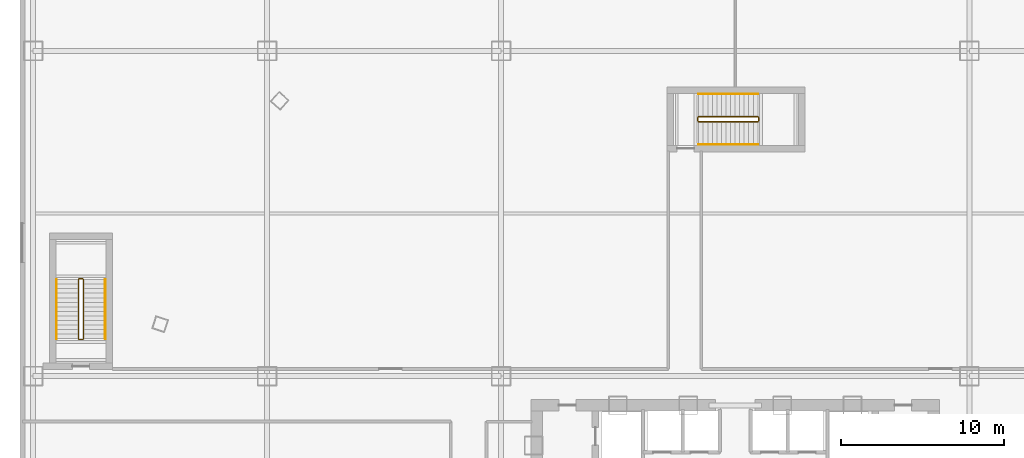
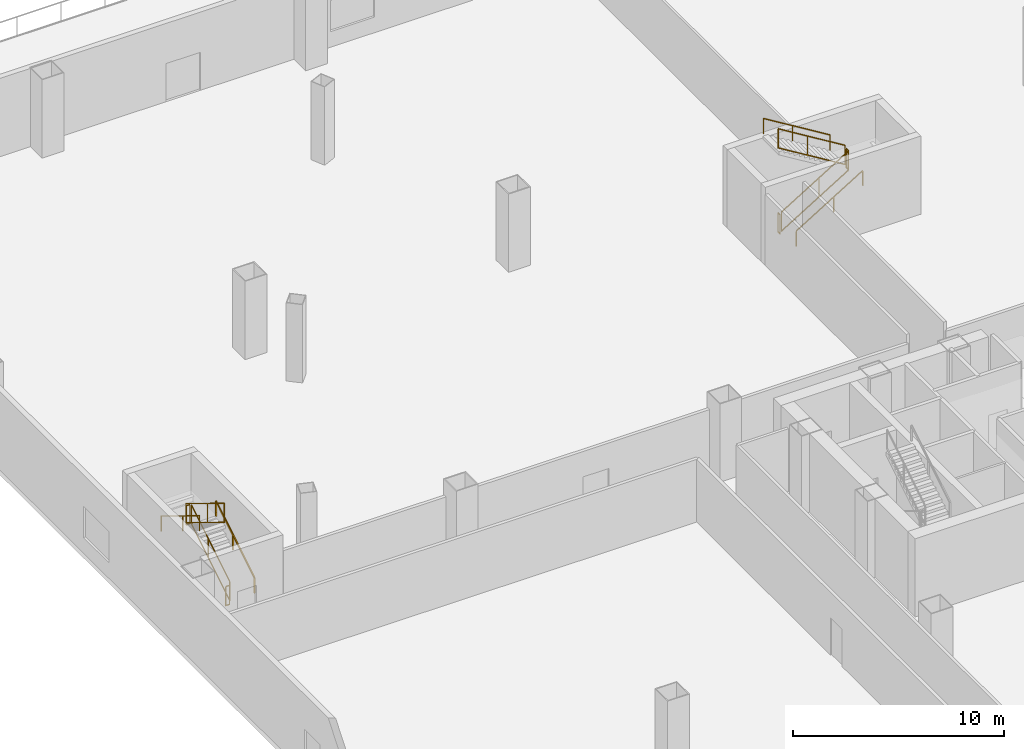
# One storey, part 25 of 27: 12 railings.
"""IFC4 building model written with IfcOpenShell, lengths in metres."""

import ifcopenshell
import ifcopenshell.guid

model = None  # the IFC model being written
_history = None  # IfcOwnerHistory: only IFC2X3 demands one
_inside = {}  # id of a spatial element -> (the spatial element, [elements in it])
_under = {}  # id of a project, library or spatial element -> (it, [spatial elements below it])
_declared = {}  # id of a project -> (the project, [libraries it declares])
_typed = {}  # id of a type object -> (the type object, [elements of that type])
_made_of = {}  # id of a material, layer set ... -> (it, [elements and type objects made of it])


def new_model(schema):
    """Start an empty IFC model of exactly this schema.

    Asked for "IFC4X3", IfcOpenShell would pick the latest addendum, in which some entities
    have other attributes; the version numbers below select the first issue.
    IFC2X3 requires an IfcOwnerHistory on every rooted entity: one is made here for all.
    """
    global model, _history
    if schema == "IFC4X3":
        model = ifcopenshell.file(schema_version=(4, 3, 0, 0))
    else:
        model = ifcopenshell.file(schema=schema)
    _inside.clear()
    _under.clear()
    _declared.clear()
    _typed.clear()
    _made_of.clear()
    _history = None
    if model.schema == "IFC2X3":
        org = make("IfcOrganization", Name="unknown")
        user = make(
            "IfcPersonAndOrganization",
            ThePerson=make("IfcPerson", FamilyName="unknown"),
            TheOrganization=org,
        )
        app = make(
            "IfcApplication",
            ApplicationDeveloper=org,
            Version="unknown",
            ApplicationFullName="unknown",
            ApplicationIdentifier="unknown",
        )
        _history = make(
            "IfcOwnerHistory",
            OwningUser=user,
            OwningApplication=app,
            ChangeAction="ADDED",
            CreationDate=0,
        )
    return model


def make(cls, **values):
    """One entity of the class cls with the attributes given. An attribute that is None is left unset."""
    return model.create_entity(
        cls, **{name: value for name, value in values.items() if value is not None}
    )


def rooted(cls, **values):
    """An entity with a GlobalId (a new one), such as an element, a storey or a relation."""
    return make(cls, GlobalId=ifcopenshell.guid.new(), OwnerHistory=_history, **values)


def si_unit(unit_type, name, prefix=None):
    """IfcSIUnit, for example si_unit("LENGTHUNIT", "METRE", prefix="MILLI")."""
    return make("IfcSIUnit", UnitType=unit_type, Prefix=prefix, Name=name)


def assignment(units):
    """IfcUnitAssignment: the units of a project."""
    return None if units is None else make("IfcUnitAssignment", Units=units)


def point(xyz):
    """IfcCartesianPoint."""
    return None if xyz is None else make("IfcCartesianPoint", Coordinates=xyz)


def direction(xyz):
    """IfcDirection."""
    return None if xyz is None else make("IfcDirection", DirectionRatios=xyz)


def frame(location, z_axis=None, x_axis=None):
    """IfcAxis2Placement3D, a coordinate frame: its origin and axes. An axis left out is left unset."""
    return make(
        "IfcAxis2Placement3D",
        Location=point(location),
        Axis=direction(z_axis),
        RefDirection=direction(x_axis),
    )


def frame_2d(location, x_axis=None):
    """IfcAxis2Placement2D, a coordinate frame in the plane: its origin and x axis."""
    return make(
        "IfcAxis2Placement2D", Location=point(location), RefDirection=direction(x_axis)
    )


def origin():
    """The frame at (0, 0, 0) with its axes left unset."""
    return frame((0.0, 0.0, 0.0))


def origin_2d():
    """The frame at (0, 0) in the plane with its x axis left unset."""
    return frame_2d((0.0, 0.0))


def place(relative_to, where):
    """IfcLocalPlacement: puts the frame where relative to a parent placement (None: the world)."""
    return make(
        "IfcLocalPlacement", PlacementRelTo=relative_to, RelativePlacement=where
    )


def context(
    kind, dimensions, precision=None, world=None, true_north=None, identifier=None
):
    """IfcGeometricRepresentationContext, for example the 3D "Model" context."""
    return make(
        "IfcGeometricRepresentationContext",
        ContextIdentifier=identifier,
        ContextType=kind,
        CoordinateSpaceDimension=dimensions,
        Precision=precision,
        WorldCoordinateSystem=world,
        TrueNorth=true_north,
    )


def subcontext(parent, identifier, kind, view, scale=None):
    """IfcGeometricRepresentationSubContext, for example "Body" below "Model"."""
    return make(
        "IfcGeometricRepresentationSubContext",
        ContextIdentifier=identifier,
        ContextType=kind,
        ParentContext=parent,
        TargetScale=scale,
        TargetView=view,
    )


def project(units=None, contexts=None):
    """IfcProject with its units and contexts."""
    return rooted(
        "IfcProject",
        Name="project",
        RepresentationContexts=contexts,
        UnitsInContext=assignment(units),
    )


def spatial(cls, under=None, at=None, **own):
    """A site, building, storey or space (cls), placed at a placement, below another one or the project."""
    s = rooted(cls, ObjectPlacement=at, **own)
    if under is not None:
        _under.setdefault(under.id(), (under, []))[1].append(s)
    return s


def profile(cls, at=None, kind="AREA", **sizes):
    """A parametric profile (cls). Its sizes go by their IFC names, for example OverallWidth=200.0."""
    return make(cls, ProfileType=kind, Position=at, **sizes)


def rectangle(**sizes):
    """IfcRectangleProfileDef."""
    return profile("IfcRectangleProfileDef", **sizes)


def extrude(swept, where, along, depth):
    """IfcExtrudedAreaSolid: the profile swept, set in the frame where, extruded along a direction by depth."""
    return make(
        "IfcExtrudedAreaSolid",
        SweptArea=swept,
        Position=where,
        ExtrudedDirection=direction(along),
        Depth=depth,
    )


def shape(context_of_items, identifier, shape_type, items):
    """IfcShapeRepresentation: the items that make up one representation, for example the "Body"."""
    return make(
        "IfcShapeRepresentation",
        ContextOfItems=context_of_items,
        RepresentationIdentifier=identifier,
        RepresentationType=shape_type,
        Items=items,
    )


def material(Name=None, Category=None):
    """IfcMaterial."""
    return make("IfcMaterial", Name=Name, Category=Category)


def made_of(thing, what):
    """Note that an element or type object is made of a material, layer set ...; save() writes the relation."""
    if what is not None:
        _made_of.setdefault(what.id(), (what, []))[1].append(thing)
    return thing


def type_object(cls, material=None, **own):
    """A type object (cls), such as IfcWallType, which elements share."""
    return made_of(rooted(cls, **own), material)


def element(
    cls,
    number,
    at=None,
    inside=None,
    cuts=None,
    type_object=None,
    material=None,
    context=None,
    identifier="Body",
    shape_type=None,
    held_by="IfcProductDefinitionShape",
    body=None,
    shapes=None,
    **own,
):
    """One element of the class cls, such as IfcWall. Its Tag is "e" and its number.

    at: its placement. inside: the storey or other place that contains it. cuts: it is an
    opening in that element (IfcRelVoidsElement). A single representation is given by context,
    identifier, shape_type and body (its items); several are given by shapes. held_by: the class
    of the entity that holds the representations. save() writes the other relations.
    """
    e = rooted(cls, Tag="e%d" % number, ObjectPlacement=at, **own)
    if body is not None:
        shapes = [shape(context, identifier, shape_type, body)]
    if shapes is not None:
        e.Representation = make(held_by, Representations=shapes)
    if inside is not None:
        _inside.setdefault(inside.id(), (inside, []))[1].append(e)
    if cuts is not None:
        rooted(
            "IfcRelVoidsElement", RelatingBuildingElement=cuts, RelatedOpeningElement=e
        )
    if type_object is not None:
        _typed.setdefault(type_object.id(), (type_object, []))[1].append(e)
    return made_of(e, material)


def aggregate(whole, parts):
    """IfcRelAggregates: a whole, such as a stair, and the parts it consists of."""
    return rooted("IfcRelAggregates", RelatingObject=whole, RelatedObjects=parts)


def save(model, path):
    """Write the relations noted so far, then the file.

    IfcRelAggregates (storeys below a building ...), IfcRelContainedInSpatialStructure (elements
    in a storey), IfcRelDefinesByType, IfcRelAssociatesMaterial and IfcRelDeclares: one each for
    every whole, place, type object, material and project.
    """
    for whole, parts in _under.values():
        aggregate(whole, parts)
    for where, things in _inside.values():
        rooted(
            "IfcRelContainedInSpatialStructure",
            RelatedElements=things,
            RelatingStructure=where,
        )
    for kind, things in _typed.values():
        rooted("IfcRelDefinesByType", RelatedObjects=things, RelatingType=kind)
    for what, things in _made_of.values():
        rooted("IfcRelAssociatesMaterial", RelatedObjects=things, RelatingMaterial=what)
    for by, libraries in _declared.values():
        rooted("IfcRelDeclares", RelatingContext=by, RelatedDefinitions=libraries)
    model.write(path)


model = new_model("IFC4")

# Units and contexts
model_context = context("Model", 3, precision=1e-05, world=origin(), true_north=direction((0.0, 1.0)))
body_context = subcontext(model_context, "Body", "Model", "MODEL_VIEW")
ifc_project = project(units=[si_unit("LENGTHUNIT", "METRE"), si_unit("AREAUNIT", "SQUARE_METRE"), si_unit("VOLUMEUNIT", "CUBIC_METRE"), si_unit("PLANEANGLEUNIT", "RADIAN"), si_unit("MASSUNIT", "GRAM", prefix="KILO"), si_unit("THERMODYNAMICTEMPERATUREUNIT", "KELVIN"), si_unit("POWERUNIT", "WATT")], contexts=[model_context])

# Site, building, storey
site_placement = place(None, origin())
site = spatial("IfcSite", under=ifc_project, at=site_placement, CompositionType="ELEMENT")
building_placement = place(site_placement, origin())
building = spatial("IfcBuilding", under=site, at=building_placement, Name="Yunzhuo Pagoda Commons", CompositionType="ELEMENT")
storey_placement = place(building_placement, frame((0.0, 0.0, 9.60009765625)))
storey = spatial("IfcBuildingStorey", under=building, at=storey_placement, Name="L03", CompositionType="ELEMENT", Elevation=9.60009765625)

# Railings
ifc_material = material(Name="Anodized aluminium 6063-T6", Category="aluminium")
railing_type_1 = type_object("IfcRailingType", Name="GR-PS3 Podium Well Guardrail 1150", PredefinedType="GUARDRAIL", material=ifc_material)
railing_1_placement = place(storey_placement, frame((7.89990234375, 44.300048828125, 0.17138671875)))
element("IfcRailing", 1, at=railing_1_placement, inside=storey, type_object=railing_type_1, Name="L03 PS3 stair guard 1", PredefinedType="GUARDRAIL", context=body_context, shape_type="SweptSolid", body=[
    extrude(rectangle(XDim=0.048095703125, YDim=0.048095703125, at=origin_2d()), frame((0.0, 0.0, 1.1259765625), z_axis=(0.0, 0.852850264322, 0.5221555579), x_axis=(-1.0, 0.0, 0.0)), (0.0, 0.0, 1.0), 4.267822265625),
    extrude(rectangle(XDim=0.048095703125, YDim=0.048095703125, at=origin_2d()), frame((0.0, 0.0, 0.02392578125), z_axis=(0.0, 0.852850264322, 0.5221555579), x_axis=(-1.0, 0.0, 0.0)), (0.0, 0.0, 1.0), 4.267822265625),
    extrude(rectangle(XDim=0.0419921875, YDim=0.0419921875, at=origin_2d()), origin(), (0.0, 0.0, 1.0), 1.101806640625),
    extrude(rectangle(XDim=0.0419921875, YDim=0.0419921875, at=origin_2d()), frame((0.0, 2.046875, 1.253173828125)), (0.0, 0.0, 1.0), 1.101806640625),
    extrude(rectangle(XDim=0.0419921875, YDim=0.0419921875, at=origin_2d()), frame((0.0, 3.639892578125, 2.228515625)), (0.0, 0.0, 1.0), 1.101806640625),
])
railing_2_placement = place(storey_placement, frame((7.85009765625, 47.989990234375, 2.39990234375)))
element("IfcRailing", 2, at=railing_2_placement, inside=storey, type_object=railing_type_1, Name="L03 PS3 stair guard 2", PredefinedType="GUARDRAIL", context=body_context, shape_type="SweptSolid", body=[
    extrude(rectangle(XDim=0.048095703125, YDim=0.048095703125, at=origin_2d()), frame((0.0, 0.0, 1.1259765625), z_axis=(-1.0, 0.0, 0.0), x_axis=(0.0, -1.0, 0.0)), (0.0, 0.0, 1.0), 0.2001953125),
    extrude(rectangle(XDim=0.048095703125, YDim=0.048095703125, at=origin_2d()), frame((0.0, 0.0, 0.02392578125), z_axis=(-1.0, 0.0, 0.0), x_axis=(0.0, -1.0, 0.0)), (0.0, 0.0, 1.0), 0.2001953125),
    extrude(rectangle(XDim=0.0419921875, YDim=0.0419921875, at=origin_2d()), origin(), (0.0, 0.0, 1.0), 1.101806640625),
    extrude(rectangle(XDim=0.0419921875, YDim=0.0419921875, at=origin_2d()), frame((-0.2001953125, 0.0, 0.0)), (0.0, 0.0, 1.0), 1.101806640625),
])
railing_3_placement = place(storey_placement, frame((7.60009765625, 47.93994140625, 2.5712890625)))
element("IfcRailing", 3, at=railing_3_placement, inside=storey, type_object=railing_type_1, Name="L03 PS3 stair guard 3", PredefinedType="GUARDRAIL", context=body_context, shape_type="SweptSolid", body=[
    extrude(rectangle(XDim=0.048095703125, YDim=0.048095703125, at=origin_2d()), frame((0.0, 0.0, 1.1259765625), z_axis=(0.0, -0.852850264322, 0.5221555579), x_axis=(1.0, 0.0, 0.0)), (0.0, 0.0, 1.0), 4.267822265625),
    extrude(rectangle(XDim=0.048095703125, YDim=0.048095703125, at=origin_2d()), frame((0.0, 0.0, 0.02392578125), z_axis=(0.0, -0.852850264322, 0.5221555579), x_axis=(1.0, 0.0, 0.0)), (0.0, 0.0, 1.0), 4.267822265625),
    extrude(rectangle(XDim=0.0419921875, YDim=0.0419921875, at=origin_2d()), origin(), (0.0, 0.0, 1.0), 1.101806640625),
    extrude(rectangle(XDim=0.0419921875, YDim=0.0419921875, at=origin_2d()), frame((0.0, -2.046875, 1.253173828125)), (0.0, 0.0, 1.0), 1.101806640625),
    extrude(rectangle(XDim=0.0419921875, YDim=0.0419921875, at=origin_2d()), frame((0.0, -3.639892578125, 2.228515625)), (0.0, 0.0, 1.0), 1.101806640625),
])
railing_4_placement = place(storey_placement, frame((7.85009765625, 44.25, 0.0)))
element("IfcRailing", 4, at=railing_4_placement, inside=storey, type_object=railing_type_1, Name="L03 PS3 stair guard 4", PredefinedType="GUARDRAIL", context=body_context, shape_type="SweptSolid", body=[
    extrude(rectangle(XDim=0.048095703125, YDim=0.048095703125, at=origin_2d()), frame((0.0, 0.0, 1.1259765625), z_axis=(-1.0, 0.0, 0.0), x_axis=(0.0, -1.0, 0.0)), (0.0, 0.0, 1.0), 0.2001953125),
    extrude(rectangle(XDim=0.048095703125, YDim=0.048095703125, at=origin_2d()), frame((0.0, 0.0, 0.02392578125), z_axis=(-1.0, 0.0, 0.0), x_axis=(0.0, -1.0, 0.0)), (0.0, 0.0, 1.0), 0.2001953125),
    extrude(rectangle(XDim=0.0419921875, YDim=0.0419921875, at=origin_2d()), origin(), (0.0, 0.0, 1.0), 1.101806640625),
    extrude(rectangle(XDim=0.0419921875, YDim=0.0419921875, at=origin_2d()), frame((-0.2001953125, 0.0, 0.0)), (0.0, 0.0, 1.0), 1.101806640625),
])
railing_type_2 = type_object("IfcRailingType", Name="GR-ST3 North Well Guardrail 1155", PredefinedType="GUARDRAIL", material=ifc_material)
railing_5_placement = place(storey_placement, frame((45.75, 57.64990234375, 0.17138671875)))
element("IfcRailing", 5, at=railing_5_placement, inside=storey, type_object=railing_type_2, Name="L03 ST3 stair guard 1", PredefinedType="GUARDRAIL", context=body_context, shape_type="SweptSolid", body=[
    extrude(rectangle(XDim=0.048095703125, YDim=0.048095703125, at=origin_2d()), frame((0.0, 0.0, 1.1259765625), z_axis=(0.852850264322, 0.0, 0.5221555579), x_axis=(0.0, 1.0, 0.0)), (0.0, 0.0, 1.0), 4.267822265625),
    extrude(rectangle(XDim=0.048095703125, YDim=0.048095703125, at=origin_2d()), frame((0.0, 0.0, 0.02392578125), z_axis=(0.852850264322, 0.0, 0.5221555579), x_axis=(0.0, 1.0, 0.0)), (0.0, 0.0, 1.0), 4.267822265625),
    extrude(rectangle(XDim=0.0419921875, YDim=0.0419921875, at=origin_2d()), origin(), (0.0, 0.0, 1.0), 1.101806640625),
    extrude(rectangle(XDim=0.0419921875, YDim=0.0419921875, at=origin_2d()), frame((2.046875, 0.0, 1.253173828125)), (0.0, 0.0, 1.0), 1.101806640625),
    extrude(rectangle(XDim=0.0419921875, YDim=0.0419921875, at=origin_2d()), frame((3.639892578125, 0.0, 2.228515625)), (0.0, 0.0, 1.0), 1.101806640625),
])
railing_6_placement = place(storey_placement, frame((49.43994140625, 57.699951171875, 2.39990234375)))
element("IfcRailing", 6, at=railing_6_placement, inside=storey, type_object=railing_type_2, Name="L03 ST3 stair guard 2", PredefinedType="GUARDRAIL", context=body_context, shape_type="SweptSolid", body=[
    extrude(rectangle(XDim=0.048095703125, YDim=0.048095703125, at=origin_2d()), frame((0.0, 0.0, 1.1259765625), z_axis=(0.0, 1.0, 0.0), x_axis=(-1.0, 0.0, 0.0)), (0.0, 0.0, 1.0), 0.199951171875),
    extrude(rectangle(XDim=0.048095703125, YDim=0.048095703125, at=origin_2d()), frame((0.0, 0.0, 0.02392578125), z_axis=(0.0, 1.0, 0.0), x_axis=(-1.0, 0.0, 0.0)), (0.0, 0.0, 1.0), 0.199951171875),
    extrude(rectangle(XDim=0.0419921875, YDim=0.0419921875, at=origin_2d()), origin(), (0.0, 0.0, 1.0), 1.101806640625),
    extrude(rectangle(XDim=0.0419921875, YDim=0.0419921875, at=origin_2d()), frame((0.0, 0.199951171875, 0.0)), (0.0, 0.0, 1.0), 1.101806640625),
])
railing_7_placement = place(storey_placement, frame((49.389892578125, 57.949951171875, 2.5712890625)))
element("IfcRailing", 7, at=railing_7_placement, inside=storey, type_object=railing_type_2, Name="L03 ST3 stair guard 3", PredefinedType="GUARDRAIL", context=body_context, shape_type="SweptSolid", body=[
    extrude(rectangle(XDim=0.048095703125, YDim=0.048095703125, at=origin_2d()), frame((0.0, 0.0, 1.1259765625), z_axis=(-0.852850264322, 0.0, 0.5221555579), x_axis=(0.0, -1.0, 0.0)), (0.0, 0.0, 1.0), 4.267822265625),
    extrude(rectangle(XDim=0.048095703125, YDim=0.048095703125, at=origin_2d()), frame((0.0, 0.0, 0.02392578125), z_axis=(-0.852850264322, 0.0, 0.5221555579), x_axis=(0.0, -1.0, 0.0)), (0.0, 0.0, 1.0), 4.267822265625),
    extrude(rectangle(XDim=0.0419921875, YDim=0.0419921875, at=origin_2d()), origin(), (0.0, 0.0, 1.0), 1.101806640625),
    extrude(rectangle(XDim=0.0419921875, YDim=0.0419921875, at=origin_2d()), frame((-2.046875, 0.0, 1.253173828125)), (0.0, 0.0, 1.0), 1.101806640625),
    extrude(rectangle(XDim=0.0419921875, YDim=0.0419921875, at=origin_2d()), frame((-3.639892578125, 0.0, 2.228515625)), (0.0, 0.0, 1.0), 1.101806640625),
])
railing_8_placement = place(storey_placement, frame((45.699951171875, 57.699951171875, 0.0)))
element("IfcRailing", 8, at=railing_8_placement, inside=storey, type_object=railing_type_2, Name="L03 ST3 stair guard 4", PredefinedType="GUARDRAIL", context=body_context, shape_type="SweptSolid", body=[
    extrude(rectangle(XDim=0.048095703125, YDim=0.048095703125, at=origin_2d()), frame((0.0, 0.0, 1.1259765625), z_axis=(0.0, 1.0, 0.0), x_axis=(-1.0, 0.0, 0.0)), (0.0, 0.0, 1.0), 0.199951171875),
    extrude(rectangle(XDim=0.048095703125, YDim=0.048095703125, at=origin_2d()), frame((0.0, 0.0, 0.02392578125), z_axis=(0.0, 1.0, 0.0), x_axis=(-1.0, 0.0, 0.0)), (0.0, 0.0, 1.0), 0.199951171875),
    extrude(rectangle(XDim=0.0419921875, YDim=0.0419921875, at=origin_2d()), origin(), (0.0, 0.0, 1.0), 1.101806640625),
    extrude(rectangle(XDim=0.0419921875, YDim=0.0419921875, at=origin_2d()), frame((0.0, 0.199951171875, 0.0)), (0.0, 0.0, 1.0), 1.101806640625),
])
railing_type_3 = type_object("IfcRailingType", Name="HR-PS3 Podium Stair Handrail 900", PredefinedType="HANDRAIL", material=ifc_material)
railing_9_placement = place(storey_placement, frame((9.25, 44.300048828125, 0.17138671875)))
element("IfcRailing", 9, at=railing_9_placement, inside=storey, type_object=railing_type_3, Name="L03 PS3 stair handrail 1", PredefinedType="HANDRAIL", context=body_context, shape_type="SweptSolid", body=[
    extrude(rectangle(XDim=0.048095703125, YDim=0.048095703125, at=origin_2d()), frame((0.0, 0.0, 0.8759765625), z_axis=(0.0, 0.852850264322, 0.5221555579), x_axis=(-1.0, 0.0, 0.0)), (0.0, 0.0, 1.0), 4.267822265625),
    extrude(rectangle(XDim=0.0419921875, YDim=0.0419921875, at=origin_2d()), origin(), (0.0, 0.0, 1.0), 0.851806640625),
    extrude(rectangle(XDim=0.0419921875, YDim=0.0419921875, at=origin_2d()), frame((0.0, 2.046875, 1.253173828125)), (0.0, 0.0, 1.0), 0.851806640625),
    extrude(rectangle(XDim=0.0419921875, YDim=0.0419921875, at=origin_2d()), frame((0.0, 3.639892578125, 2.228515625)), (0.0, 0.0, 1.0), 0.851806640625),
])
railing_10_placement = place(storey_placement, frame((6.25, 47.93994140625, 2.5712890625)))
element("IfcRailing", 10, at=railing_10_placement, inside=storey, type_object=railing_type_3, Name="L03 PS3 stair handrail 2", PredefinedType="HANDRAIL", context=body_context, shape_type="SweptSolid", body=[
    extrude(rectangle(XDim=0.048095703125, YDim=0.048095703125, at=origin_2d()), frame((0.0, 0.0, 0.8759765625), z_axis=(0.0, -0.852850264322, 0.5221555579), x_axis=(1.0, 0.0, 0.0)), (0.0, 0.0, 1.0), 4.267822265625),
    extrude(rectangle(XDim=0.0419921875, YDim=0.0419921875, at=origin_2d()), origin(), (0.0, 0.0, 1.0), 0.851806640625),
    extrude(rectangle(XDim=0.0419921875, YDim=0.0419921875, at=origin_2d()), frame((0.0, -2.046875, 1.253173828125)), (0.0, 0.0, 1.0), 0.851806640625),
    extrude(rectangle(XDim=0.0419921875, YDim=0.0419921875, at=origin_2d()), frame((0.0, -3.639892578125, 2.228515625)), (0.0, 0.0, 1.0), 0.851806640625),
])
railing_type_4 = type_object("IfcRailingType", Name="HR-ST3 North Stair Handrail 900", PredefinedType="HANDRAIL", material=ifc_material)
railing_11_placement = place(storey_placement, frame((45.75, 56.25, 0.17138671875)))
element("IfcRailing", 11, at=railing_11_placement, inside=storey, type_object=railing_type_4, Name="L03 ST3 stair handrail 1", PredefinedType="HANDRAIL", context=body_context, shape_type="SweptSolid", body=[
    extrude(rectangle(XDim=0.048095703125, YDim=0.048095703125, at=origin_2d()), frame((0.0, 0.0, 0.8759765625), z_axis=(0.852850264322, 0.0, 0.5221555579), x_axis=(0.0, 1.0, 0.0)), (0.0, 0.0, 1.0), 4.267822265625),
    extrude(rectangle(XDim=0.0419921875, YDim=0.0419921875, at=origin_2d()), origin(), (0.0, 0.0, 1.0), 0.851806640625),
    extrude(rectangle(XDim=0.0419921875, YDim=0.0419921875, at=origin_2d()), frame((2.046875, 0.0, 1.253173828125)), (0.0, 0.0, 1.0), 0.851806640625),
    extrude(rectangle(XDim=0.0419921875, YDim=0.0419921875, at=origin_2d()), frame((3.639892578125, 0.0, 2.228515625)), (0.0, 0.0, 1.0), 0.851806640625),
])
railing_12_placement = place(storey_placement, frame((49.389892578125, 59.35009765625, 2.5712890625)))
element("IfcRailing", 12, at=railing_12_placement, inside=storey, type_object=railing_type_4, Name="L03 ST3 stair handrail 2", PredefinedType="HANDRAIL", context=body_context, shape_type="SweptSolid", body=[
    extrude(rectangle(XDim=0.048095703125, YDim=0.048095703125, at=origin_2d()), frame((0.0, 0.0, 0.8759765625), z_axis=(-0.852850264322, 0.0, 0.5221555579), x_axis=(0.0, -1.0, 0.0)), (0.0, 0.0, 1.0), 4.267822265625),
    extrude(rectangle(XDim=0.0419921875, YDim=0.0419921875, at=origin_2d()), origin(), (0.0, 0.0, 1.0), 0.851806640625),
    extrude(rectangle(XDim=0.0419921875, YDim=0.0419921875, at=origin_2d()), frame((-2.046875, 0.0, 1.253173828125)), (0.0, 0.0, 1.0), 0.851806640625),
    extrude(rectangle(XDim=0.0419921875, YDim=0.0419921875, at=origin_2d()), frame((-3.639892578125, 0.0, 2.228515625)), (0.0, 0.0, 1.0), 0.851806640625),
])

save(model, "model.ifc")
